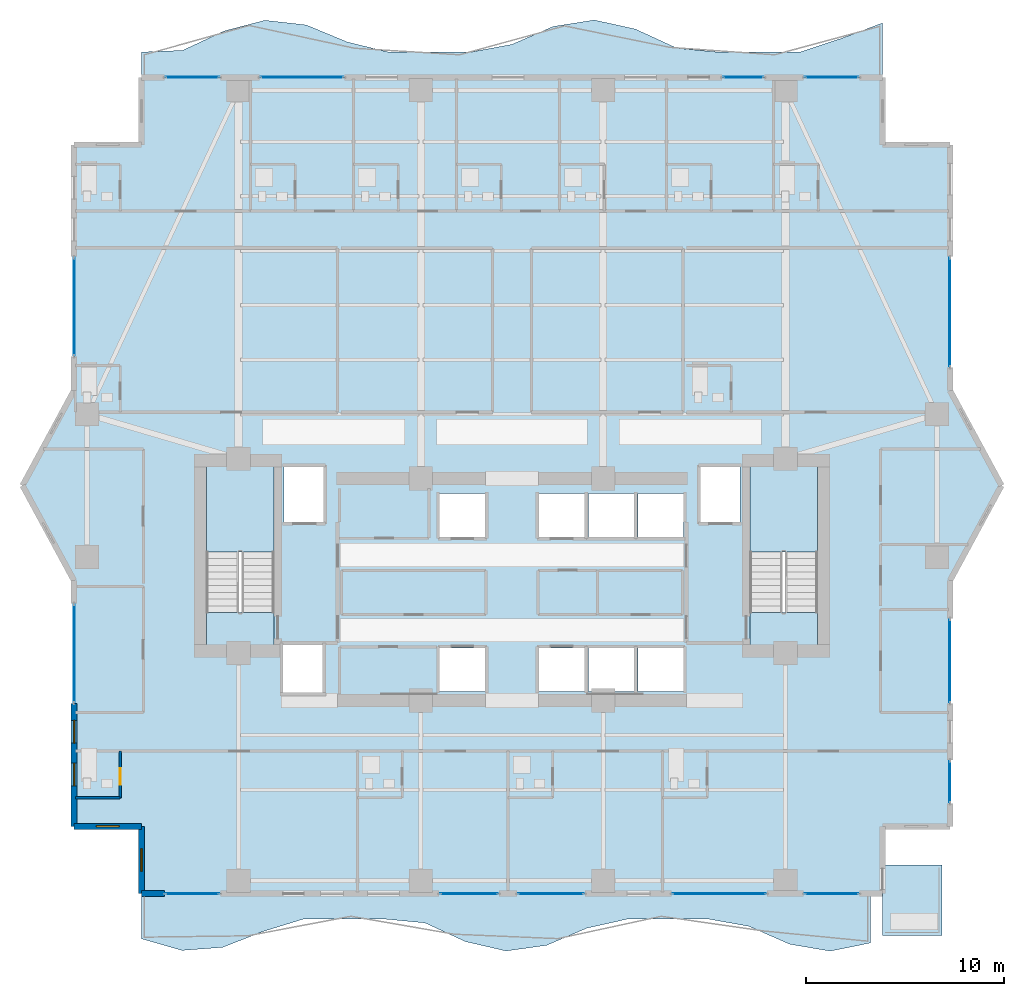
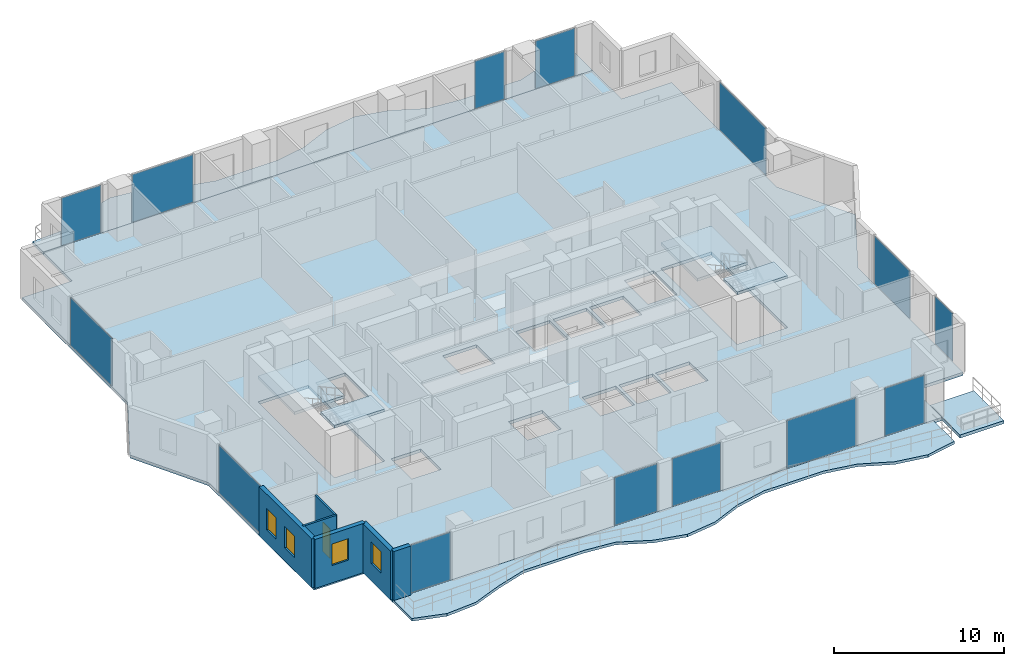
# One storey, part 23 of 33: 14 plates, 8 slabs, 6 walls, 4 windows, 1 door, 5 openings, 16 elements without a shape of their own.
"""IFC4 building model written with IfcOpenShell, lengths in metres."""

import ifcopenshell
import ifcopenshell.guid

model = None  # the IFC model being written
_history = None  # IfcOwnerHistory: only IFC2X3 demands one
_inside = {}  # id of a spatial element -> (the spatial element, [elements in it])
_under = {}  # id of a project, library or spatial element -> (it, [spatial elements below it])
_declared = {}  # id of a project -> (the project, [libraries it declares])
_typed = {}  # id of a type object -> (the type object, [elements of that type])
_made_of = {}  # id of a material, layer set ... -> (it, [elements and type objects made of it])


def new_model(schema):
    """Start an empty IFC model of exactly this schema.

    Asked for "IFC4X3", IfcOpenShell would pick the latest addendum, in which some entities
    have other attributes; the version numbers below select the first issue.
    IFC2X3 requires an IfcOwnerHistory on every rooted entity: one is made here for all.
    """
    global model, _history
    if schema == "IFC4X3":
        model = ifcopenshell.file(schema_version=(4, 3, 0, 0))
    else:
        model = ifcopenshell.file(schema=schema)
    _inside.clear()
    _under.clear()
    _declared.clear()
    _typed.clear()
    _made_of.clear()
    _history = None
    if model.schema == "IFC2X3":
        org = make("IfcOrganization", Name="unknown")
        user = make(
            "IfcPersonAndOrganization",
            ThePerson=make("IfcPerson", FamilyName="unknown"),
            TheOrganization=org,
        )
        app = make(
            "IfcApplication",
            ApplicationDeveloper=org,
            Version="unknown",
            ApplicationFullName="unknown",
            ApplicationIdentifier="unknown",
        )
        _history = make(
            "IfcOwnerHistory",
            OwningUser=user,
            OwningApplication=app,
            ChangeAction="ADDED",
            CreationDate=0,
        )
    return model


def make(cls, **values):
    """One entity of the class cls with the attributes given. An attribute that is None is left unset."""
    return model.create_entity(
        cls, **{name: value for name, value in values.items() if value is not None}
    )


def rooted(cls, **values):
    """An entity with a GlobalId (a new one), such as an element, a storey or a relation."""
    return make(cls, GlobalId=ifcopenshell.guid.new(), OwnerHistory=_history, **values)


def si_unit(unit_type, name, prefix=None):
    """IfcSIUnit, for example si_unit("LENGTHUNIT", "METRE", prefix="MILLI")."""
    return make("IfcSIUnit", UnitType=unit_type, Prefix=prefix, Name=name)


def assignment(units):
    """IfcUnitAssignment: the units of a project."""
    return None if units is None else make("IfcUnitAssignment", Units=units)


def point(xyz):
    """IfcCartesianPoint."""
    return None if xyz is None else make("IfcCartesianPoint", Coordinates=xyz)


def direction(xyz):
    """IfcDirection."""
    return None if xyz is None else make("IfcDirection", DirectionRatios=xyz)


def frame(location, z_axis=None, x_axis=None):
    """IfcAxis2Placement3D, a coordinate frame: its origin and axes. An axis left out is left unset."""
    return make(
        "IfcAxis2Placement3D",
        Location=point(location),
        Axis=direction(z_axis),
        RefDirection=direction(x_axis),
    )


def frame_2d(location, x_axis=None):
    """IfcAxis2Placement2D, a coordinate frame in the plane: its origin and x axis."""
    return make(
        "IfcAxis2Placement2D", Location=point(location), RefDirection=direction(x_axis)
    )


def origin():
    """The frame at (0, 0, 0) with its axes left unset."""
    return frame((0.0, 0.0, 0.0))


def origin_2d():
    """The frame at (0, 0) in the plane with its x axis left unset."""
    return frame_2d((0.0, 0.0))


def place(relative_to, where):
    """IfcLocalPlacement: puts the frame where relative to a parent placement (None: the world)."""
    return make(
        "IfcLocalPlacement", PlacementRelTo=relative_to, RelativePlacement=where
    )


def context(
    kind, dimensions, precision=None, world=None, true_north=None, identifier=None
):
    """IfcGeometricRepresentationContext, for example the 3D "Model" context."""
    return make(
        "IfcGeometricRepresentationContext",
        ContextIdentifier=identifier,
        ContextType=kind,
        CoordinateSpaceDimension=dimensions,
        Precision=precision,
        WorldCoordinateSystem=world,
        TrueNorth=true_north,
    )


def subcontext(parent, identifier, kind, view, scale=None):
    """IfcGeometricRepresentationSubContext, for example "Body" below "Model"."""
    return make(
        "IfcGeometricRepresentationSubContext",
        ContextIdentifier=identifier,
        ContextType=kind,
        ParentContext=parent,
        TargetScale=scale,
        TargetView=view,
    )


def project(units=None, contexts=None):
    """IfcProject with its units and contexts."""
    return rooted(
        "IfcProject",
        Name="project",
        RepresentationContexts=contexts,
        UnitsInContext=assignment(units),
    )


def spatial(cls, under=None, at=None, **own):
    """A site, building, storey or space (cls), placed at a placement, below another one or the project."""
    s = rooted(cls, ObjectPlacement=at, **own)
    if under is not None:
        _under.setdefault(under.id(), (under, []))[1].append(s)
    return s


def polyline(points):
    """IfcPolyline through the points."""
    return make("IfcPolyline", Points=[point(p) for p in points])


def profile(cls, at=None, kind="AREA", **sizes):
    """A parametric profile (cls). Its sizes go by their IFC names, for example OverallWidth=200.0."""
    return make(cls, ProfileType=kind, Position=at, **sizes)


def rectangle(**sizes):
    """IfcRectangleProfileDef."""
    return profile("IfcRectangleProfileDef", **sizes)


def outline(outer, holes=None, kind="AREA"):
    """IfcArbitraryClosedProfileDef: a profile drawn as a closed curve; with holes, ...WithVoids."""
    if holes is None:
        return make("IfcArbitraryClosedProfileDef", ProfileType=kind, OuterCurve=outer)
    return make(
        "IfcArbitraryProfileDefWithVoids",
        ProfileType=kind,
        OuterCurve=outer,
        InnerCurves=holes,
    )


def extrude(swept, where, along, depth):
    """IfcExtrudedAreaSolid: the profile swept, set in the frame where, extruded along a direction by depth."""
    return make(
        "IfcExtrudedAreaSolid",
        SweptArea=swept,
        Position=where,
        ExtrudedDirection=direction(along),
        Depth=depth,
    )


def shape(context_of_items, identifier, shape_type, items):
    """IfcShapeRepresentation: the items that make up one representation, for example the "Body"."""
    return make(
        "IfcShapeRepresentation",
        ContextOfItems=context_of_items,
        RepresentationIdentifier=identifier,
        RepresentationType=shape_type,
        Items=items,
    )


def material(Name=None, Category=None):
    """IfcMaterial."""
    return make("IfcMaterial", Name=Name, Category=Category)


def layer(
    of_material, thickness, ventilated=None, Name=None, Category=None, Priority=None
):
    """IfcMaterialLayer: one layer of a wall or slab, of a material (None: an air gap)."""
    return make(
        "IfcMaterialLayer",
        Material=of_material,
        LayerThickness=thickness,
        IsVentilated=ventilated,
        Name=Name,
        Category=Category,
        Priority=Priority,
    )


def layer_set(layers, Name=None):
    """IfcMaterialLayerSet."""
    return make("IfcMaterialLayerSet", MaterialLayers=layers, LayerSetName=Name)


def made_of(thing, what):
    """Note that an element or type object is made of a material, layer set ...; save() writes the relation."""
    if what is not None:
        _made_of.setdefault(what.id(), (what, []))[1].append(thing)
    return thing


def type_object(cls, material=None, **own):
    """A type object (cls), such as IfcWallType, which elements share."""
    return made_of(rooted(cls, **own), material)


def element(
    cls,
    number,
    at=None,
    inside=None,
    cuts=None,
    type_object=None,
    material=None,
    context=None,
    identifier="Body",
    shape_type=None,
    held_by="IfcProductDefinitionShape",
    body=None,
    shapes=None,
    **own,
):
    """One element of the class cls, such as IfcWall. Its Tag is "e" and its number.

    at: its placement. inside: the storey or other place that contains it. cuts: it is an
    opening in that element (IfcRelVoidsElement). A single representation is given by context,
    identifier, shape_type and body (its items); several are given by shapes. held_by: the class
    of the entity that holds the representations. save() writes the other relations.
    """
    e = rooted(cls, Tag="e%d" % number, ObjectPlacement=at, **own)
    if body is not None:
        shapes = [shape(context, identifier, shape_type, body)]
    if shapes is not None:
        e.Representation = make(held_by, Representations=shapes)
    if inside is not None:
        _inside.setdefault(inside.id(), (inside, []))[1].append(e)
    if cuts is not None:
        rooted(
            "IfcRelVoidsElement", RelatingBuildingElement=cuts, RelatedOpeningElement=e
        )
    if type_object is not None:
        _typed.setdefault(type_object.id(), (type_object, []))[1].append(e)
    return made_of(e, material)


def fill(opening, filler):
    """IfcRelFillsElement: the door or window that sits in an opening."""
    return rooted(
        "IfcRelFillsElement",
        RelatingOpeningElement=opening,
        RelatedBuildingElement=filler,
    )


def aggregate(whole, parts):
    """IfcRelAggregates: a whole, such as a stair, and the parts it consists of."""
    return rooted("IfcRelAggregates", RelatingObject=whole, RelatedObjects=parts)


def save(model, path):
    """Write the relations noted so far, then the file.

    IfcRelAggregates (storeys below a building ...), IfcRelContainedInSpatialStructure (elements
    in a storey), IfcRelDefinesByType, IfcRelAssociatesMaterial and IfcRelDeclares: one each for
    every whole, place, type object, material and project.
    """
    for whole, parts in _under.values():
        aggregate(whole, parts)
    for where, things in _inside.values():
        rooted(
            "IfcRelContainedInSpatialStructure",
            RelatedElements=things,
            RelatingStructure=where,
        )
    for kind, things in _typed.values():
        rooted("IfcRelDefinesByType", RelatedObjects=things, RelatingType=kind)
    for what, things in _made_of.values():
        rooted("IfcRelAssociatesMaterial", RelatedObjects=things, RelatingMaterial=what)
    for by, libraries in _declared.values():
        rooted("IfcRelDeclares", RelatingContext=by, RelatedDefinitions=libraries)
    model.write(path)


model = new_model("IFC4")

# Units and contexts
model_context = context("Model", 3, precision=1e-05, world=origin(), true_north=direction((0.0, 1.0)))
body_context = subcontext(model_context, "Body", "Model", "MODEL_VIEW")
ifc_project = project(units=[si_unit("LENGTHUNIT", "METRE"), si_unit("AREAUNIT", "SQUARE_METRE"), si_unit("VOLUMEUNIT", "CUBIC_METRE"), si_unit("PLANEANGLEUNIT", "RADIAN"), si_unit("MASSUNIT", "GRAM", prefix="KILO")], contexts=[model_context])

# Site, building, storey
site_placement = place(None, origin())
site = spatial("IfcSite", under=ifc_project, at=site_placement, CompositionType="ELEMENT")
building_placement = place(site_placement, origin())
building = spatial("IfcBuilding", under=site, at=building_placement, Name="Zuhayl Quay Hotel", CompositionType="ELEMENT")
storey_placement = place(building_placement, frame((0.0, 0.0, 199.89990234375)))
storey = spatial("IfcBuildingStorey", under=building, at=storey_placement, Name="L50", CompositionType="ELEMENT", Elevation=199.89990234375)

# Curtain wall, plate
ifc_material_1 = material(Name="Anodised Aluminium 6063-T6", Category="aluminium")
ifc_layer_1 = layer(ifc_material_1, 0.175048828125, Name="Anodised Aluminium 6063-T6", Category="aluminium")
ifc_layer_set_1 = layer_set([ifc_layer_1], Name="Anodised Aluminium 6063-T6")
curtain_wall_type = type_object("IfcCurtainWallType", Name="CW_SYS_Z3", PredefinedType="USERDEFINED", material=ifc_layer_set_1)
curtain_wall_1_placement = place(storey_placement, origin())
curtain_wall_1 = element("IfcCurtainWall", 1, at=curtain_wall_1_placement, inside=storey, type_object=curtain_wall_type, Name="L50 Curtain Wall ENV_L50_E02_CW1", ObjectType="UNITISED CURTAIN WALL", PredefinedType="USERDEFINED")
ifc_material_2 = material(Name="Dark Ceramic-Fritted Solar Glass", Category="glass")
ifc_layer_2 = layer(ifc_material_2, 0.0400390625, Name="Dark Ceramic-Fritted Solar Glass", Category="glass")
ifc_layer_set_2 = layer_set([ifc_layer_2], Name="Dark Ceramic-Fritted Solar Glass")
plate_type = type_object("IfcPlateType", Name="PN_OP_VENT_Z3", PredefinedType="CURTAIN_PANEL", material=ifc_layer_set_2)
plate_1_placement = place(storey_placement, frame((-22.10009765625, 4.52490234375, 0.05517578125), z_axis=(0.0, 0.0, 1.0), x_axis=(0.0, 1.0, 0.0)))
plate_1 = element("IfcPlate", 2, at=plate_1_placement, type_object=plate_type, Name="CW-Z3 panel 1.1", PredefinedType="CURTAIN_PANEL", context=body_context, shape_type="SweptSolid", body=[
    extrude(rectangle(XDim=4.919921875, YDim=0.0400390625, at=origin_2d()), origin(), (0.0, 0.0, 1.0), 3.419921875),
])
aggregate(curtain_wall_1, [plate_1])

curtain_wall_2_placement = place(storey_placement, origin())
curtain_wall_2 = element("IfcCurtainWall", 3, at=curtain_wall_2_placement, inside=storey, type_object=curtain_wall_type, Name="L50 Curtain Wall ENV_L50_E05_CW1", ObjectType="UNITISED CURTAIN WALL", PredefinedType="USERDEFINED")
plate_2_placement = place(storey_placement, frame((-22.10009765625, 22.030029296875, 0.05517578125), z_axis=(0.0, 0.0, 1.0), x_axis=(0.0, 1.0, 0.0)))
plate_2 = element("IfcPlate", 4, at=plate_2_placement, type_object=plate_type, Name="CW-Z3 panel 1.1", PredefinedType="CURTAIN_PANEL", context=body_context, shape_type="SweptSolid", body=[
    extrude(rectangle(XDim=4.909912109375, YDim=0.0400390625, at=origin_2d()), origin(), (0.0, 0.0, 1.0), 3.419921875),
])
aggregate(curtain_wall_2, [plate_2])

curtain_wall_3_placement = place(storey_placement, origin())
curtain_wall_3 = element("IfcCurtainWall", 5, at=curtain_wall_3_placement, inside=storey, type_object=curtain_wall_type, Name="L50 Curtain Wall ENV_L50_N_CW1", ObjectType="UNITISED CURTAIN WALL", PredefinedType="USERDEFINED")
plate_3_placement = place(storey_placement, frame((-16.135009765625, 33.60009765625, 0.05517578125), z_axis=(0.0, 0.0, 1.0), x_axis=(1.0, 0.0, 0.0)))
plate_3 = element("IfcPlate", 6, at=plate_3_placement, type_object=plate_type, Name="CW-Z3 panel 1.1", PredefinedType="CURTAIN_PANEL", context=body_context, shape_type="SweptSolid", body=[
    extrude(rectangle(XDim=2.699951171875, YDim=0.0400390625, at=origin_2d()), origin(), (0.0, 0.0, 1.0), 3.419921875),
])
aggregate(curtain_wall_3, [plate_3])

curtain_wall_4_placement = place(storey_placement, origin())
curtain_wall_4 = element("IfcCurtainWall", 7, at=curtain_wall_4_placement, inside=storey, type_object=curtain_wall_type, Name="L50 Curtain Wall ENV_L50_N_CW2", ObjectType="UNITISED CURTAIN WALL", PredefinedType="USERDEFINED")
plate_4_placement = place(storey_placement, frame((-10.60009765625, 33.60009765625, 0.05517578125), z_axis=(0.0, 0.0, 1.0), x_axis=(1.0, 0.0, 0.0)))
plate_4 = element("IfcPlate", 8, at=plate_4_placement, type_object=plate_type, Name="CW-Z3 panel 1.1", PredefinedType="CURTAIN_PANEL", context=body_context, shape_type="SweptSolid", body=[
    extrude(rectangle(XDim=4.169921875, YDim=0.0400390625, at=origin_2d()), origin(), (0.0, 0.0, 1.0), 3.419921875),
])
aggregate(curtain_wall_4, [plate_4])

curtain_wall_5_placement = place(storey_placement, origin())
curtain_wall_5 = element("IfcCurtainWall", 9, at=curtain_wall_5_placement, inside=storey, type_object=curtain_wall_type, Name="L50 Curtain Wall ENV_L50_N_CW3", ObjectType="UNITISED CURTAIN WALL", PredefinedType="USERDEFINED")
plate_5_placement = place(storey_placement, frame((11.672607421875, 33.60009765625, 0.05517578125), z_axis=(0.0, 0.0, 1.0), x_axis=(1.0, 0.0, 0.0)))
plate_5 = element("IfcPlate", 10, at=plate_5_placement, type_object=plate_type, Name="CW-Z3 panel 1.1", PredefinedType="CURTAIN_PANEL", context=body_context, shape_type="SweptSolid", body=[
    extrude(rectangle(XDim=2.02490234375, YDim=0.0400390625, at=origin_2d()), origin(), (0.0, 0.0, 1.0), 3.419921875),
])
aggregate(curtain_wall_5, [plate_5])

curtain_wall_6_placement = place(storey_placement, origin())
curtain_wall_6 = element("IfcCurtainWall", 11, at=curtain_wall_6_placement, inside=storey, type_object=curtain_wall_type, Name="L50 Curtain Wall ENV_L50_N_CW4", ObjectType="UNITISED CURTAIN WALL", PredefinedType="USERDEFINED")
plate_6_placement = place(storey_placement, frame((16.135009765625, 33.60009765625, 0.05517578125), z_axis=(0.0, 0.0, 1.0), x_axis=(1.0, 0.0, 0.0)))
plate_6 = element("IfcPlate", 12, at=plate_6_placement, type_object=plate_type, Name="CW-Z3 panel 1.1", PredefinedType="CURTAIN_PANEL", context=body_context, shape_type="SweptSolid", body=[
    extrude(rectangle(XDim=2.699951171875, YDim=0.0400390625, at=origin_2d()), origin(), (0.0, 0.0, 1.0), 3.419921875),
])
aggregate(curtain_wall_6, [plate_6])

curtain_wall_7_placement = place(storey_placement, origin())
curtain_wall_7 = element("IfcCurtainWall", 13, at=curtain_wall_7_placement, inside=storey, type_object=curtain_wall_type, Name="L50 Curtain Wall ENV_L50_E11_CW1", ObjectType="UNITISED CURTAIN WALL", PredefinedType="USERDEFINED")
plate_7_placement = place(storey_placement, frame((22.10009765625, 21.75, 0.05517578125), z_axis=(0.0, 0.0, 1.0), x_axis=(0.0, -1.0, 0.0)))
plate_7 = element("IfcPlate", 14, at=plate_7_placement, type_object=plate_type, Name="CW-Z3 panel 1.1", PredefinedType="CURTAIN_PANEL", context=body_context, shape_type="SweptSolid", body=[
    extrude(rectangle(XDim=5.469970703125, YDim=0.0400390625, at=origin_2d()), origin(), (0.0, 0.0, 1.0), 3.419921875),
])
aggregate(curtain_wall_7, [plate_7])

curtain_wall_8_placement = place(storey_placement, origin())
curtain_wall_8 = element("IfcCurtainWall", 15, at=curtain_wall_8_placement, inside=storey, type_object=curtain_wall_type, Name="L50 Curtain Wall ENV_L50_E14_CW1", ObjectType="UNITISED CURTAIN WALL", PredefinedType="USERDEFINED")
plate_8_placement = place(storey_placement, frame((22.10009765625, 4.14990234375, 0.05517578125), z_axis=(0.0, 0.0, 1.0), x_axis=(0.0, -1.0, 0.0)))
plate_8 = element("IfcPlate", 16, at=plate_8_placement, type_object=plate_type, Name="CW-Z3 panel 1.1", PredefinedType="CURTAIN_PANEL", context=body_context, shape_type="SweptSolid", body=[
    extrude(rectangle(XDim=4.169921875, YDim=0.0400390625, at=origin_2d()), origin(), (0.0, 0.0, 1.0), 3.419921875),
])
aggregate(curtain_wall_8, [plate_8])

curtain_wall_9_placement = place(storey_placement, origin())
curtain_wall_9 = element("IfcCurtainWall", 17, at=curtain_wall_9_placement, inside=storey, type_object=curtain_wall_type, Name="L50 Curtain Wall ENV_L50_E14_CW2", ObjectType="UNITISED CURTAIN WALL", PredefinedType="USERDEFINED")
plate_9_placement = place(storey_placement, frame((22.10009765625, -1.949951171875, 0.05517578125), z_axis=(0.0, 0.0, 1.0), x_axis=(0.0, -1.0, 0.0)))
plate_9 = element("IfcPlate", 18, at=plate_9_placement, type_object=plate_type, Name="CW-Z3 panel 1.1", PredefinedType="CURTAIN_PANEL", context=body_context, shape_type="SweptSolid", body=[
    extrude(rectangle(XDim=2.070068359375, YDim=0.0400390625, at=origin_2d()), origin(), (0.0, 0.0, 1.0), 3.419921875),
])
aggregate(curtain_wall_9, [plate_9])

curtain_wall_10_placement = place(storey_placement, origin())
curtain_wall_10 = element("IfcCurtainWall", 19, at=curtain_wall_10_placement, inside=storey, type_object=curtain_wall_type, Name="L50 Curtain Wall ENV_L50_S_CW1", ObjectType="UNITISED CURTAIN WALL", PredefinedType="USERDEFINED")
plate_10_placement = place(storey_placement, frame((16.135009765625, -7.60009765625, 0.05517578125), z_axis=(0.0, 0.0, 1.0), x_axis=(-1.0, 0.0, 0.0)))
plate_10 = element("IfcPlate", 20, at=plate_10_placement, type_object=plate_type, Name="CW-Z3 panel 1.1", PredefinedType="CURTAIN_PANEL", context=body_context, shape_type="SweptSolid", body=[
    extrude(rectangle(XDim=2.699951171875, YDim=0.0400390625, at=origin_2d()), origin(), (0.0, 0.0, 1.0), 3.419921875),
])
aggregate(curtain_wall_10, [plate_10])

curtain_wall_11_placement = place(storey_placement, origin())
curtain_wall_11 = element("IfcCurtainWall", 21, at=curtain_wall_11_placement, inside=storey, type_object=curtain_wall_type, Name="L50 Curtain Wall ENV_L50_S_CW2", ObjectType="UNITISED CURTAIN WALL", PredefinedType="USERDEFINED")
plate_11_placement = place(storey_placement, frame((10.465087890625, -7.60009765625, 0.05517578125), z_axis=(0.0, 0.0, 1.0), x_axis=(-1.0, 0.0, 0.0)))
plate_11 = element("IfcPlate", 22, at=plate_11_placement, type_object=plate_type, Name="CW-Z3 panel 1.1", PredefinedType="CURTAIN_PANEL", context=body_context, shape_type="SweptSolid", body=[
    extrude(rectangle(XDim=4.699951171875, YDim=0.0400390625, at=origin_2d()), origin(), (0.0, 0.0, 1.0), 3.419921875),
])
aggregate(curtain_wall_11, [plate_11])

curtain_wall_12_placement = place(storey_placement, origin())
curtain_wall_12 = element("IfcCurtainWall", 23, at=curtain_wall_12_placement, inside=storey, type_object=curtain_wall_type, Name="L50 Curtain Wall ENV_L50_S_CW3", ObjectType="UNITISED CURTAIN WALL", PredefinedType="USERDEFINED")
plate_12_placement = place(storey_placement, frame((1.965087890625, -7.60009765625, 0.05517578125), z_axis=(0.0, 0.0, 1.0), x_axis=(-1.0, 0.0, 0.0)))
plate_12 = element("IfcPlate", 24, at=plate_12_placement, type_object=plate_type, Name="CW-Z3 panel 1.1", PredefinedType="CURTAIN_PANEL", context=body_context, shape_type="SweptSolid", body=[
    extrude(rectangle(XDim=3.300048828125, YDim=0.0400390625, at=origin_2d()), origin(), (0.0, 0.0, 1.0), 3.419921875),
])
aggregate(curtain_wall_12, [plate_12])

curtain_wall_13_placement = place(storey_placement, origin())
curtain_wall_13 = element("IfcCurtainWall", 25, at=curtain_wall_13_placement, inside=storey, type_object=curtain_wall_type, Name="L50 Curtain Wall ENV_L50_S_CW4", ObjectType="UNITISED CURTAIN WALL", PredefinedType="USERDEFINED")
plate_13_placement = place(storey_placement, frame((-2.1650390625, -7.60009765625, 0.05517578125), z_axis=(0.0, 0.0, 1.0), x_axis=(-1.0, 0.0, 0.0)))
plate_13 = element("IfcPlate", 26, at=plate_13_placement, type_object=plate_type, Name="CW-Z3 panel 1.1", PredefinedType="CURTAIN_PANEL", context=body_context, shape_type="SweptSolid", body=[
    extrude(rectangle(XDim=2.89990234375, YDim=0.0400390625, at=origin_2d()), origin(), (0.0, 0.0, 1.0), 3.419921875),
])
aggregate(curtain_wall_13, [plate_13])

curtain_wall_14_placement = place(storey_placement, origin())
curtain_wall_14 = element("IfcCurtainWall", 27, at=curtain_wall_14_placement, inside=storey, type_object=curtain_wall_type, Name="L50 Curtain Wall ENV_L50_S_CW5", ObjectType="UNITISED CURTAIN WALL", PredefinedType="USERDEFINED")
plate_14_placement = place(storey_placement, frame((-16.135009765625, -7.60009765625, 0.05517578125), z_axis=(0.0, 0.0, 1.0), x_axis=(-1.0, 0.0, 0.0)))
plate_14 = element("IfcPlate", 28, at=plate_14_placement, type_object=plate_type, Name="CW-Z3 panel 1.1", PredefinedType="CURTAIN_PANEL", context=body_context, shape_type="SweptSolid", body=[
    extrude(rectangle(XDim=2.699951171875, YDim=0.0400390625, at=origin_2d()), origin(), (0.0, 0.0, 1.0), 3.419921875),
])
aggregate(curtain_wall_14, [plate_14])

# Slabs
ifc_material_3 = material(Name="Concrete C45/55", Category="concrete")
ifc_layer_3 = layer(ifc_material_3, 0.195068359375, Name="Concrete C45/55", Category="concrete")
ifc_layer_set_3 = layer_set([ifc_layer_3], Name="Concrete C45/55")
slab_type_1 = type_object("IfcSlabType", Name="SL_BALCONY_195", PredefinedType="FLOOR", material=ifc_layer_set_3)
slab_1_placement = place(storey_placement, frame((0.0, 0.0, -0.19482421875)))
element("IfcSlab", 29, at=slab_1_placement, inside=storey, type_object=slab_type_1, Name="L50 Exterior Rippling Balcony Slab North", PredefinedType="FLOOR", context=body_context, shape_type="SweptSolid", body=[
    extrude(outline(polyline([(-18.699951171875, 33.60009765625), (18.699951171875, 33.60009765625), (18.699951171875, 36.348388671875), (16.622314453125, 35.568359375), (14.54443359375, 34.8798828125), (12.466796875, 34.8798828125), (10.388916015625, 34.8798828125), (8.31103515625, 35.081298828125), (6.2333984375, 36.03662109375), (4.155517578125, 36.49658203125), (2.077880859375, 36.171630859375), (0.0, 35.266357421875), (-2.077880859375, 34.8798828125), (-4.155517578125, 34.8798828125), (-6.2333984375, 34.8798828125), (-8.31103515625, 35.385986328125), (-10.388916015625, 36.248291015625), (-12.466796875, 36.48193359375), (-14.54443359375, 35.93994140625), (-16.622314453125, 34.96337890625), (-18.699951171875, 34.8798828125), (-18.699951171875, 33.60009765625)])), origin(), (0.0, 0.0, 1.0), 0.19482421875),
])
slab_2_placement = place(storey_placement, frame((0.0, 0.0, -0.19482421875)))
element("IfcSlab", 30, at=slab_2_placement, inside=storey, type_object=slab_type_1, Name="L50 Exterior Rippling Balcony Slab South", PredefinedType="FLOOR", context=body_context, shape_type="SweptSolid", body=[
    extrude(outline(polyline([(-18.699951171875, -9.875), (-16.655517578125, -10.462890625), (-14.611083984375, -10.31005859375), (-12.566650390625, -9.510009765625), (-10.522216796875, -8.8798828125), (-8.477783203125, -8.8798828125), (-6.433349609375, -8.8798828125), (-4.388916015625, -9.075927734375), (-2.344482421875, -10.01953125), (-0.300048828125, -10.4931640625), (1.744384765625, -10.20751953125), (3.788818359375, -9.337158203125), (5.833251953125, -8.8798828125), (7.877685546875, -8.8798828125), (9.922119140625, -8.8798828125), (11.966796875, -9.25), (14.010986328125, -10.149169921875), (16.0556640625, -10.499267578125), (18.10009765625, -10.08642578125), (18.10009765625, -7.60009765625), (-18.699951171875, -7.60009765625), (-18.699951171875, -9.875)])), origin(), (0.0, 0.0, 1.0), 0.19482421875),
])
ifc_layer_4 = layer(ifc_material_3, 0.219970703125, Name="Concrete C45/55", Category="concrete")
ifc_layer_set_4 = layer_set([ifc_layer_4], Name="Concrete C45/55")
slab_type_2 = type_object("IfcSlabType", Name="SL_FLOOR_220", PredefinedType="FLOOR", material=ifc_layer_set_4)
slab_3_placement = place(storey_placement, frame((0.0, 0.0, -0.219970703125)))
element("IfcSlab", 31, at=slab_3_placement, inside=storey, type_object=slab_type_2, Name="L50 Structural Floor Slab", PredefinedType="FLOOR", context=body_context, shape_type="SweptSolid", body=[
    extrude(outline(polyline([(-18.699951171875, -7.60009765625), (18.699951171875, -7.60009765625), (18.699951171875, -4.199951171875), (22.10009765625, -4.199951171875), (22.10009765625, 8.199951171875), (24.699951171875, 13.0), (22.10009765625, 17.800048828125), (22.10009765625, 30.199951171875), (18.699951171875, 30.199951171875), (18.699951171875, 33.60009765625), (-18.699951171875, 33.60009765625), (-18.699951171875, 30.199951171875), (-22.10009765625, 30.199951171875), (-22.10009765625, 17.800048828125), (-24.699951171875, 13.0), (-22.10009765625, 8.199951171875), (-22.10009765625, -4.199951171875), (-18.699951171875, -4.199951171875), (-18.699951171875, -7.60009765625)]), holes=[polyline([(-12.0, 4.949951171875), (-12.0, 13.949951171875), (-15.429931640625, 13.949951171875), (-15.429931640625, 4.949951171875), (-12.0, 4.949951171875)]), polyline([(15.429931640625, 4.949951171875), (15.429931640625, 13.949951171875), (12.0, 13.949951171875), (12.0, 4.949951171875), (15.429931640625, 4.949951171875)]), polyline([(-11.5, 11.14990234375), (-9.5, 11.14990234375), (-9.5, 13.949951171875), (-11.5, 13.949951171875), (-11.5, 11.14990234375)]), polyline([(9.5, 11.14990234375), (11.5, 11.14990234375), (11.5, 13.949951171875), (9.5, 13.949951171875), (9.5, 11.14990234375)]), polyline([(-3.64990234375, 2.60009765625), (-1.35009765625, 2.60009765625), (-1.35009765625, 4.800048828125), (-3.64990234375, 4.800048828125), (-3.64990234375, 2.60009765625)]), polyline([(1.35009765625, 2.60009765625), (3.64990234375, 2.60009765625), (3.64990234375, 4.800048828125), (1.35009765625, 4.800048828125), (1.35009765625, 2.60009765625)]), polyline([(-3.64990234375, 10.39990234375), (-1.35009765625, 10.39990234375), (-1.35009765625, 12.60009765625), (-3.64990234375, 12.60009765625), (-3.64990234375, 10.39990234375)]), polyline([(1.35009765625, 10.39990234375), (3.64990234375, 10.39990234375), (3.64990234375, 12.60009765625), (1.35009765625, 12.60009765625), (1.35009765625, 10.39990234375)]), polyline([(3.85009765625, 2.60009765625), (6.14990234375, 2.60009765625), (6.14990234375, 4.800048828125), (3.85009765625, 4.800048828125), (3.85009765625, 2.60009765625)]), polyline([(6.35009765625, 2.60009765625), (8.64990234375, 2.60009765625), (8.64990234375, 4.800048828125), (6.35009765625, 4.800048828125), (6.35009765625, 2.60009765625)]), polyline([(3.85009765625, 10.39990234375), (6.14990234375, 10.39990234375), (6.14990234375, 12.60009765625), (3.85009765625, 12.60009765625), (3.85009765625, 10.39990234375)]), polyline([(6.35009765625, 10.39990234375), (8.64990234375, 10.39990234375), (8.64990234375, 12.60009765625), (6.35009765625, 12.60009765625), (6.35009765625, 10.39990234375)]), polyline([(-11.550048828125, 2.550048828125), (-9.550048828125, 2.550048828125), (-9.550048828125, 4.949951171875), (-11.550048828125, 4.949951171875), (-11.550048828125, 2.550048828125)])]), origin(), (0.0, 0.0, 1.0), 0.219970703125),
])

# Stair, slabs
stair_type = type_object("IfcStairType", Name="ST_DOGLEG_TOWER", PredefinedType="HALF_TURN_STAIR", material=ifc_material_3)
stair_1_placement = place(storey_placement, origin())
stair_1 = element("IfcStair", 32, at=stair_1_placement, inside=storey, type_object=stair_type, Name="L50 Smokeproof Exit Stair ST1", PredefinedType="HALF_TURN_STAIR")
ifc_layer_5 = layer(ifc_material_3, 0.199951171875, Name="Concrete C45/55", Category="concrete")
ifc_layer_set_5 = layer_set([ifc_layer_5], Name="Concrete C45/55")
slab_type_3 = type_object("IfcSlabType", Name="SL_STAIR_LANDING_200", PredefinedType="LANDING", material=ifc_layer_set_5)
slab_4_placement = place(storey_placement, frame((0.0, 0.0, 1.675048828125)))
slab_4 = element("IfcSlab", 33, at=slab_4_placement, type_object=slab_type_3, Name="ST1 landing 1", PredefinedType="LANDING", context=body_context, shape_type="SweptSolid", body=[
    extrude(outline(polyline([(-12.0, 9.64990234375), (-12.0, 13.949951171875), (-15.429931640625, 13.949951171875), (-15.429931640625, 9.64990234375), (-12.0, 9.64990234375)])), origin(), (0.0, 0.0, 1.0), 0.199951171875),
])
slab_5_placement = place(storey_placement, frame((0.0, 0.0, 3.550048828125)))
slab_5 = element("IfcSlab", 34, at=slab_5_placement, type_object=slab_type_3, Name="ST1 landing 2", PredefinedType="LANDING", context=body_context, shape_type="SweptSolid", body=[
    extrude(outline(polyline([(-12.0, 4.949951171875), (-12.0, 6.590087890625), (-15.429931640625, 6.590087890625), (-15.429931640625, 4.949951171875), (-12.0, 4.949951171875)])), origin(), (0.0, 0.0, 1.0), 0.199951171875),
])
aggregate(stair_1, [slab_4, slab_5])

stair_2_placement = place(storey_placement, origin())
stair_2 = element("IfcStair", 35, at=stair_2_placement, inside=storey, type_object=stair_type, Name="L50 Smokeproof Exit Stair ST2", PredefinedType="HALF_TURN_STAIR")
slab_6_placement = place(storey_placement, frame((0.0, 0.0, 1.675048828125)))
slab_6 = element("IfcSlab", 36, at=slab_6_placement, type_object=slab_type_3, Name="ST2 landing 1", PredefinedType="LANDING", context=body_context, shape_type="SweptSolid", body=[
    extrude(outline(polyline([(15.429931640625, 9.64990234375), (15.429931640625, 13.949951171875), (12.0, 13.949951171875), (12.0, 9.64990234375), (15.429931640625, 9.64990234375)])), origin(), (0.0, 0.0, 1.0), 0.199951171875),
])
slab_7_placement = place(storey_placement, frame((0.0, 0.0, 3.550048828125)))
slab_7 = element("IfcSlab", 37, at=slab_7_placement, type_object=slab_type_3, Name="ST2 landing 2", PredefinedType="LANDING", context=body_context, shape_type="SweptSolid", body=[
    extrude(outline(polyline([(15.429931640625, 4.949951171875), (15.429931640625, 6.590087890625), (12.0, 6.590087890625), (12.0, 4.949951171875), (15.429931640625, 4.949951171875)])), origin(), (0.0, 0.0, 1.0), 0.199951171875),
])
aggregate(stair_2, [slab_6, slab_7])

# Slab
ifc_layer_6 = layer(ifc_material_3, 0.219970703125, Name="Concrete C45/55", Category="concrete")
ifc_layer_set_6 = layer_set([ifc_layer_6], Name="Concrete C45/55")
slab_type_4 = type_object("IfcSlabType", Name="SL_TERRACE_235", PredefinedType="FLOOR", material=ifc_layer_set_6)
slab_8_placement = place(storey_placement, frame((0.0, 0.0, -0.219970703125)))
element("IfcSlab", 38, at=slab_8_placement, inside=storey, type_object=slab_type_4, Name="L50 Exterior Sky-Terrace Slab L50_SPIRAL_SE", PredefinedType="FLOOR", context=body_context, shape_type="SweptSolid", body=[
    extrude(outline(polyline([(18.699951171875, -9.699951171875), (21.699951171875, -9.699951171875), (21.699951171875, -6.14990234375), (18.699951171875, -6.14990234375), (18.699951171875, -9.699951171875)])), origin(), (0.0, 0.0, 1.0), 0.219970703125),
])

# Wall, opening, window
ifc_material_4 = material(Name="Precast concrete C45/55", Category="concrete")
ifc_layer_7 = layer(ifc_material_4, 0.300048828125, Name="Precast concrete C45/55", Category="concrete")
ifc_layer_set_7 = layer_set([ifc_layer_7], Name="Precast concrete C45/55")
wall_type_1 = type_object("IfcWallType", Name="WL_EXT_300", PredefinedType="STANDARD", material=ifc_layer_set_7)
wall_1_placement = place(storey_placement, frame((-18.699951171875, -4.199951171875, 0.0), z_axis=(0.0, 0.0, 1.0), x_axis=(-1.0, 0.0, 0.0)))
wall_1 = element("IfcWall", 39, at=wall_1_placement, inside=storey, type_object=wall_type_1, Name="L50 Exterior Precast Wall ENV_L50_EW01", PredefinedType="STANDARD", context=body_context, shape_type="SweptSolid", body=[
    extrude(rectangle(XDim=3.400146484375, YDim=0.300048828125, at=frame_2d((1.7001953125, 0.0))), origin(), (0.0, 0.0, 1.0), 3.530029296875),
])
opening_1_placement = place(wall_1_placement, frame((1.125, 0.0, 1.25)))
opening_1 = element("IfcOpeningElement", 40, at=opening_1_placement, cuts=wall_1, Name="Opening W01N", PredefinedType="OPENING", context=body_context, shape_type="SweptSolid", body=[
    extrude(rectangle(XDim=1.14990234375, YDim=1.550048828125, at=frame_2d((0.574951171875, 0.77490234375))), frame((0.0, 0.159912109375, 0.0), z_axis=(0.0, -1.0, 0.0), x_axis=(1.0, 0.0, 0.0)), (0.0, 0.0, 1.0), 0.320068359375),
])
window_type = type_object("IfcWindowType", Name="WN_NOTCH_1350", PartitioningType="SINGLE_PANEL", PredefinedType="WINDOW", material=ifc_material_2)
window_1_placement = place(opening_1_placement, origin())
window_1 = element("IfcWindow", 41, at=window_1_placement, inside=storey, type_object=window_type, Name="L50 Corner Notch Window 1", OverallHeight=1.550048828125, OverallWidth=1.14990234375, PartitioningType="SINGLE_PANEL", PredefinedType="WINDOW", context=body_context, shape_type="SweptSolid", body=[
    extrude(rectangle(XDim=1.14990234375, YDim=1.550048828125, at=frame_2d((0.574951171875, 0.77490234375))), frame((0.0, 0.030029296875, 0.0), z_axis=(0.0, -1.0, 0.0), x_axis=(1.0, 0.0, 0.0)), (0.0, 0.0, 1.0), 0.06005859375),
])
fill(opening_1, window_1)

# Wall, openings, windows
wall_2_placement = place(storey_placement, frame((-22.10009765625, -4.199951171875, 0.0), z_axis=(0.0, 0.0, 1.0), x_axis=(0.0, 1.0, 0.0)))
wall_2 = element("IfcWall", 42, at=wall_2_placement, inside=storey, type_object=wall_type_1, Name="L50 Exterior Precast Wall ENV_L50_E02_EW1", PredefinedType="STANDARD", context=body_context, shape_type="SweptSolid", body=[
    extrude(rectangle(XDim=6.199951171875, YDim=0.300048828125, at=frame_2d((3.10009765625, 0.0))), origin(), (0.0, 0.0, 1.0), 3.530029296875),
])
opening_2_placement = place(wall_2_placement, frame((2.044921875, 0.0, 0.949951171875)))
opening_2 = element("IfcOpeningElement", 43, at=opening_2_placement, cuts=wall_2, Name="Opening W01N", PredefinedType="OPENING", context=body_context, shape_type="SweptSolid", body=[
    extrude(rectangle(XDim=1.14990234375, YDim=1.550048828125, at=frame_2d((0.574951171875, 0.77490234375))), frame((0.0, 0.159912109375, 0.0), z_axis=(0.0, -1.0, 0.0), x_axis=(1.0, 0.0, 0.0)), (0.0, 0.0, 1.0), 0.320068359375),
])
opening_3_placement = place(wall_2_placement, frame((4.199951171875, 0.0, 0.949951171875)))
opening_3 = element("IfcOpeningElement", 44, at=opening_3_placement, cuts=wall_2, Name="Opening W01N", PredefinedType="OPENING", context=body_context, shape_type="SweptSolid", body=[
    extrude(rectangle(XDim=1.14990234375, YDim=1.550048828125, at=frame_2d((0.574951171875, 0.77490234375))), frame((0.0, 0.159912109375, 0.0), z_axis=(0.0, -1.0, 0.0), x_axis=(1.0, 0.0, 0.0)), (0.0, 0.0, 1.0), 0.320068359375),
])
window_2_placement = place(opening_2_placement, origin())
window_2 = element("IfcWindow", 45, at=window_2_placement, inside=storey, type_object=window_type, Name="L50 Operable Facade Window 1-1", OverallHeight=1.550048828125, OverallWidth=1.14990234375, PartitioningType="SINGLE_PANEL", PredefinedType="WINDOW", context=body_context, shape_type="SweptSolid", body=[
    extrude(rectangle(XDim=1.14990234375, YDim=1.550048828125, at=frame_2d((0.574951171875, 0.77490234375))), frame((0.0, 0.030029296875, 0.0), z_axis=(0.0, -1.0, 0.0), x_axis=(1.0, 0.0, 0.0)), (0.0, 0.0, 1.0), 0.06005859375),
])
fill(opening_2, window_2)
window_3_placement = place(opening_3_placement, origin())
window_3 = element("IfcWindow", 46, at=window_3_placement, inside=storey, type_object=window_type, Name="L50 Operable Facade Window 1-2", OverallHeight=1.550048828125, OverallWidth=1.14990234375, PartitioningType="SINGLE_PANEL", PredefinedType="WINDOW", context=body_context, shape_type="SweptSolid", body=[
    extrude(rectangle(XDim=1.14990234375, YDim=1.550048828125, at=frame_2d((0.574951171875, 0.77490234375))), frame((0.0, 0.030029296875, 0.0), z_axis=(0.0, -1.0, 0.0), x_axis=(1.0, 0.0, 0.0)), (0.0, 0.0, 1.0), 0.06005859375),
])
fill(opening_3, window_3)

# Wall
wall_3_placement = place(storey_placement, frame((-17.550048828125, -7.60009765625, 0.0), z_axis=(0.0, 0.0, 1.0), x_axis=(-1.0, 0.0, 0.0)))
element("IfcWall", 47, at=wall_3_placement, inside=storey, type_object=wall_type_1, Name="L50 Exterior Precast Wall ENV_L50_S_EW6", PredefinedType="STANDARD", context=body_context, shape_type="SweptSolid", body=[
    extrude(rectangle(XDim=1.14990234375, YDim=0.300048828125, at=frame_2d((0.574951171875, 0.0))), origin(), (0.0, 0.0, 1.0), 3.530029296875),
])

# Wall, opening, window
wall_4_placement = place(storey_placement, frame((-18.699951171875, -7.60009765625, 0.0), z_axis=(0.0, 0.0, 1.0), x_axis=(0.0, 1.0, 0.0)))
wall_4 = element("IfcWall", 48, at=wall_4_placement, inside=storey, type_object=wall_type_1, Name="L50 Exterior Precast Wall ENV_L50_EW18", PredefinedType="STANDARD", context=body_context, shape_type="SweptSolid", body=[
    extrude(rectangle(XDim=3.400146484375, YDim=0.300048828125, at=frame_2d((1.7001953125, 0.0))), origin(), (0.0, 0.0, 1.0), 3.530029296875),
])
opening_4_placement = place(wall_4_placement, frame((1.125, 0.0, 1.25)))
opening_4 = element("IfcOpeningElement", 49, at=opening_4_placement, cuts=wall_4, Name="Opening W01N", PredefinedType="OPENING", context=body_context, shape_type="SweptSolid", body=[
    extrude(rectangle(XDim=1.14990234375, YDim=1.550048828125, at=frame_2d((0.574951171875, 0.77490234375))), frame((0.0, 0.159912109375, 0.0), z_axis=(0.0, -1.0, 0.0), x_axis=(1.0, 0.0, 0.0)), (0.0, 0.0, 1.0), 0.320068359375),
])
window_4_placement = place(opening_4_placement, origin())
window_4 = element("IfcWindow", 50, at=window_4_placement, inside=storey, type_object=window_type, Name="L50 Corner Notch Window 18", OverallHeight=1.550048828125, OverallWidth=1.14990234375, PartitioningType="SINGLE_PANEL", PredefinedType="WINDOW", context=body_context, shape_type="SweptSolid", body=[
    extrude(rectangle(XDim=1.14990234375, YDim=1.550048828125, at=frame_2d((0.574951171875, 0.77490234375))), frame((0.0, 0.030029296875, 0.0), z_axis=(0.0, -1.0, 0.0), x_axis=(1.0, 0.0, 0.0)), (0.0, 0.0, 1.0), 0.06005859375),
])
fill(opening_4, window_4)

# Wall, opening, door
ifc_material_5 = material(Name="Moisture-Resistant Sanitarychase Gypsum")
ifc_layer_8 = layer(ifc_material_5, 0.135009765625, Name="Moisture-Resistant Sanitarychase Gypsum")
ifc_layer_set_8 = layer_set([ifc_layer_8], Name="Moisture-Resistant Sanitarychase Gypsum")
wall_type_2 = type_object("IfcWallType", Name="WL_PART_PLUMB_150", PredefinedType="PLUMBINGWALL", material=ifc_layer_set_8)
wall_5_placement = place(storey_placement, frame((-19.780029296875, -2.760009765625, 0.0), z_axis=(0.0, 0.0, 1.0), x_axis=(0.0, 1.0, 0.0)))
wall_5 = element("IfcWall", 51, at=wall_5_placement, inside=storey, type_object=wall_type_2, Name="L50 Partition IW_L50_SU01_BE", PredefinedType="PLUMBINGWALL", context=body_context, shape_type="SweptSolid", body=[
    extrude(rectangle(XDim=2.360107421875, YDim=0.135009765625, at=frame_2d((1.18017578125, 0.0))), origin(), (0.0, 0.0, 1.0), 3.530029296875),
])
opening_5_placement = place(wall_5_placement, frame((0.64990234375, 0.0, 0.0)))
opening_5 = element("IfcOpeningElement", 52, at=opening_5_placement, cuts=wall_5, Name="Opening D04", PredefinedType="OPENING", context=body_context, shape_type="SweptSolid", body=[
    extrude(rectangle(XDim=0.85009765625, YDim=2.10009765625, at=frame_2d((0.425048828125, 1.050048828125))), frame((0.0, 0.077392578125, 0.0), z_axis=(0.0, -1.0, 0.0), x_axis=(1.0, 0.0, 0.0)), (0.0, 0.0, 1.0), 0.155029296875),
])
ifc_material_6 = material(Name="Moisture-Resistant Walnut Veneer")
door_type = type_object("IfcDoorType", Name="DR_BATH_850", OperationType="NOTDEFINED", PredefinedType="DOOR", material=ifc_material_6)
door_placement = place(opening_5_placement, origin())
door = element("IfcDoor", 53, at=door_placement, inside=storey, type_object=door_type, Name="L50 City-View Junior Suite L50-01 En-Suite Door", OperationType="SINGLE_SWING_LEFT", OverallHeight=2.10009765625, OverallWidth=0.85009765625, PredefinedType="DOOR", context=body_context, shape_type="SweptSolid", body=[
    extrude(rectangle(XDim=0.85009765625, YDim=2.10009765625, at=frame_2d((0.425048828125, 1.050048828125))), frame((0.0, 0.02490234375, 0.0), z_axis=(0.0, -1.0, 0.0), x_axis=(1.0, 0.0, 0.0)), (0.0, 0.0, 1.0), 0.050048828125),
])
fill(opening_5, door)

# Wall
wall_6_placement = place(storey_placement, frame((-22.0400390625, -2.760009765625, 0.0), z_axis=(0.0, 0.0, 1.0), x_axis=(1.0, 0.0, 0.0)))
element("IfcWall", 54, at=wall_6_placement, inside=storey, type_object=wall_type_2, Name="L50 Partition IW_L50_SU01_BS", PredefinedType="PLUMBINGWALL", context=body_context, shape_type="SweptSolid", body=[
    extrude(rectangle(XDim=2.260009765625, YDim=0.135009765625, at=frame_2d((1.1298828125, 0.0))), origin(), (0.0, 0.0, 1.0), 3.530029296875),
])

save(model, "model.ifc")
